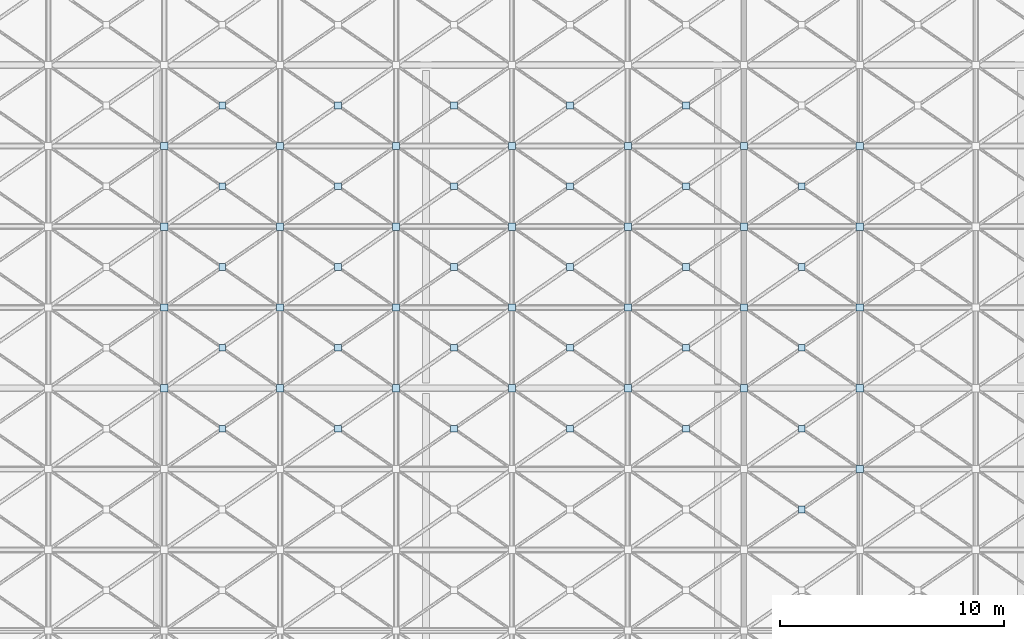
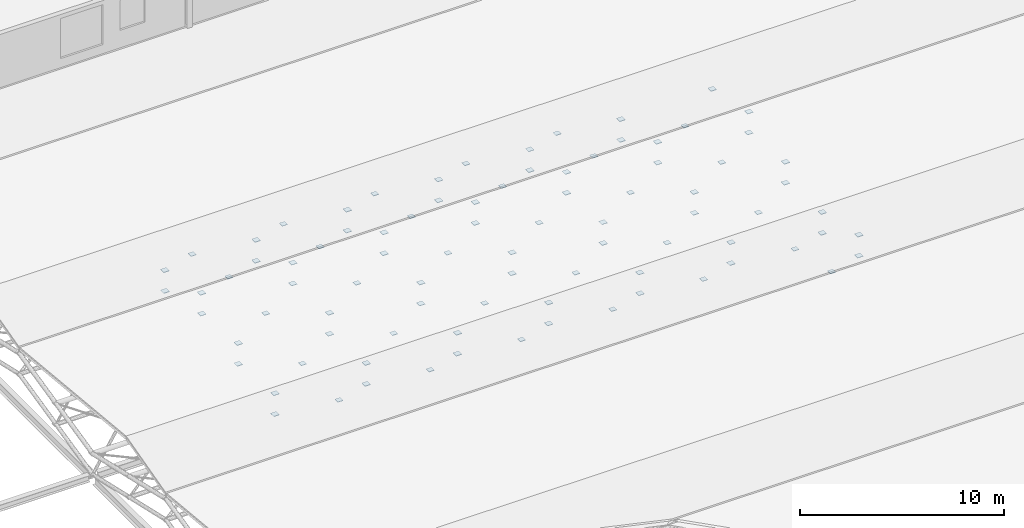
# One storey, part 95 of 110: 87 plates.
"""IFC4 building model written with IfcOpenShell, lengths in metres."""

from ifc_helpers import new_model, si_unit, direction, frame, origin, origin_2d, place, context, subcontext, project, spatial, rectangle, extrude, material, layer, layer_set, type_object, element, save


model = new_model("IFC4")

# Units and contexts
model_context = context("Model", 3, precision=1e-05, world=origin(), true_north=direction((0.0, 1.0)))
body_context = subcontext(model_context, "Body", "Model", "MODEL_VIEW")
ifc_project = project(units=[si_unit("LENGTHUNIT", "METRE"), si_unit("AREAUNIT", "SQUARE_METRE"), si_unit("VOLUMEUNIT", "CUBIC_METRE"), si_unit("PLANEANGLEUNIT", "RADIAN"), si_unit("MASSUNIT", "GRAM", prefix="KILO")], contexts=[model_context])

# Site, building, storey
site_placement = place(None, origin())
site = spatial("IfcSite", under=ifc_project, at=site_placement, CompositionType="ELEMENT")
building_placement = place(site_placement, origin())
building = spatial("IfcBuilding", under=site, at=building_placement, Name="Tamarisk Ironworks Central Station", CompositionType="ELEMENT")
storey_placement = place(building_placement, frame((0.0, 0.0, 17.39990234375)))
storey = spatial("IfcBuildingStorey", under=building, at=storey_placement, Name="L03", CompositionType="ELEMENT", Elevation=17.39990234375)

# Plates
ifc_material = material(Name="Structural steel S355J2H", Category="steel")
ifc_layer = layer(ifc_material, 0.02587890625)
ifc_layer_set = layer_set([ifc_layer], Name="Structural steel S355J2H")
plate_type = type_object("IfcPlateType", Name="PL-ND26", PredefinedType="SHEET", material=ifc_layer_set)
plate_1_placement = place(storey_placement, frame((128.333251953125, 50.39990234375, -0.48291015625), z_axis=(0.0, 0.0, 1.0), x_axis=(1.0, 0.0, 0.0)))
element("IfcPlate", 1, at=plate_1_placement, inside=storey, type_object=plate_type, Name="Space-frame collector node plate 0686", PredefinedType="SHEET", context=body_context, shape_type="SweptSolid", body=[
    extrude(rectangle(XDim=0.320068359375, YDim=0.320068359375, at=origin_2d()), origin(), (0.0, 0.0, 1.0), 0.02587890625),
])
plate_2_placement = place(storey_placement, frame((130.916748046875, 48.60009765625, -0.6953125), z_axis=(0.0, 0.0, 1.0), x_axis=(1.0, 0.0, 0.0)))
element("IfcPlate", 2, at=plate_2_placement, inside=storey, type_object=plate_type, Name="Space-frame X-brace crossing gusset plate 0696", PredefinedType="SHEET", context=body_context, shape_type="SweptSolid", body=[
    extrude(rectangle(XDim=0.300048828125, YDim=0.300048828125, at=origin_2d()), origin(), (0.0, 0.0, 1.0), 0.02587890625),
])
plate_3_placement = place(storey_placement, frame((133.5, 50.39990234375, -0.48291015625), z_axis=(0.0, 0.0, 1.0), x_axis=(1.0, 0.0, 0.0)))
element("IfcPlate", 3, at=plate_3_placement, inside=storey, type_object=plate_type, Name="Space-frame collector node plate 0698", PredefinedType="SHEET", context=body_context, shape_type="SweptSolid", body=[
    extrude(rectangle(XDim=0.320068359375, YDim=0.320068359375, at=origin_2d()), origin(), (0.0, 0.0, 1.0), 0.02587890625),
])
plate_4_placement = place(storey_placement, frame((136.083251953125, 48.60009765625, -0.6953125), z_axis=(0.0, 0.0, 1.0), x_axis=(1.0, 0.0, 0.0)))
element("IfcPlate", 4, at=plate_4_placement, inside=storey, type_object=plate_type, Name="Space-frame X-brace crossing gusset plate 0708", PredefinedType="SHEET", context=body_context, shape_type="SweptSolid", body=[
    extrude(rectangle(XDim=0.300048828125, YDim=0.300048828125, at=origin_2d()), origin(), (0.0, 0.0, 1.0), 0.02587890625),
])
plate_5_placement = place(storey_placement, frame((138.666748046875, 50.39990234375, -0.48291015625), z_axis=(0.0, 0.0, 1.0), x_axis=(1.0, 0.0, 0.0)))
element("IfcPlate", 5, at=plate_5_placement, inside=storey, type_object=plate_type, Name="Space-frame collector node plate 0710", PredefinedType="SHEET", context=body_context, shape_type="SweptSolid", body=[
    extrude(rectangle(XDim=0.320068359375, YDim=0.320068359375, at=origin_2d()), origin(), (0.0, 0.0, 1.0), 0.02587890625),
])
plate_6_placement = place(storey_placement, frame((141.25, 48.60009765625, -0.6953125), z_axis=(0.0, 0.0, 1.0), x_axis=(1.0, 0.0, 0.0)))
element("IfcPlate", 6, at=plate_6_placement, inside=storey, type_object=plate_type, Name="Space-frame X-brace crossing gusset plate 0720", PredefinedType="SHEET", context=body_context, shape_type="SweptSolid", body=[
    extrude(rectangle(XDim=0.300048828125, YDim=0.300048828125, at=origin_2d()), origin(), (0.0, 0.0, 1.0), 0.02587890625),
])
plate_7_placement = place(storey_placement, frame((143.833251953125, 50.39990234375, -0.48291015625), z_axis=(0.0, 0.0, 1.0), x_axis=(1.0, 0.0, 0.0)))
element("IfcPlate", 7, at=plate_7_placement, inside=storey, type_object=plate_type, Name="Space-frame collector node plate 0722", PredefinedType="SHEET", context=body_context, shape_type="SweptSolid", body=[
    extrude(rectangle(XDim=0.320068359375, YDim=0.320068359375, at=origin_2d()), origin(), (0.0, 0.0, 1.0), 0.02587890625),
])
plate_8_placement = place(storey_placement, frame((146.416748046875, 48.60009765625, -0.6953125), z_axis=(0.0, 0.0, 1.0), x_axis=(1.0, 0.0, 0.0)))
element("IfcPlate", 8, at=plate_8_placement, inside=storey, type_object=plate_type, Name="Space-frame X-brace crossing gusset plate 0732", PredefinedType="SHEET", context=body_context, shape_type="SweptSolid", body=[
    extrude(rectangle(XDim=0.300048828125, YDim=0.300048828125, at=origin_2d()), origin(), (0.0, 0.0, 1.0), 0.02587890625),
])
plate_9_placement = place(storey_placement, frame((149.0, 50.39990234375, -0.48291015625), z_axis=(0.0, 0.0, 1.0), x_axis=(1.0, 0.0, 0.0)))
element("IfcPlate", 9, at=plate_9_placement, inside=storey, type_object=plate_type, Name="Space-frame collector node plate 0734", PredefinedType="SHEET", context=body_context, shape_type="SweptSolid", body=[
    extrude(rectangle(XDim=0.320068359375, YDim=0.320068359375, at=origin_2d()), origin(), (0.0, 0.0, 1.0), 0.02587890625),
])
plate_10_placement = place(storey_placement, frame((151.583251953125, 48.60009765625, -0.6953125), z_axis=(0.0, 0.0, 1.0), x_axis=(1.0, 0.0, 0.0)))
element("IfcPlate", 10, at=plate_10_placement, inside=storey, type_object=plate_type, Name="Space-frame X-brace crossing gusset plate 0744", PredefinedType="SHEET", context=body_context, shape_type="SweptSolid", body=[
    extrude(rectangle(XDim=0.300048828125, YDim=0.300048828125, at=origin_2d()), origin(), (0.0, 0.0, 1.0), 0.02587890625),
])
plate_11_placement = place(storey_placement, frame((154.166748046875, 50.39990234375, -0.48291015625), z_axis=(0.0, 0.0, 1.0), x_axis=(1.0, 0.0, 0.0)))
element("IfcPlate", 11, at=plate_11_placement, inside=storey, type_object=plate_type, Name="Space-frame collector node plate 0746", PredefinedType="SHEET", context=body_context, shape_type="SweptSolid", body=[
    extrude(rectangle(XDim=0.320068359375, YDim=0.320068359375, at=origin_2d()), origin(), (0.0, 0.0, 1.0), 0.02587890625),
])
plate_12_placement = place(storey_placement, frame((156.75, 45.0, 0.129638671875), z_axis=(0.0, 0.0, 1.0), x_axis=(1.0, 0.0, 0.0)))
element("IfcPlate", 12, at=plate_12_placement, inside=storey, type_object=plate_type, Name="Space-frame X-brace crossing gusset plate 0753", PredefinedType="SHEET", context=body_context, shape_type="SweptSolid", body=[
    extrude(rectangle(XDim=0.300048828125, YDim=0.300048828125, at=origin_2d()), origin(), (0.0, 0.0, 1.0), 0.02587890625),
])
plate_13_placement = place(storey_placement, frame((159.333251953125, 46.800048828125, 0.342041015625), z_axis=(0.0, 0.0, 1.0), x_axis=(1.0, 0.0, 0.0)))
element("IfcPlate", 13, at=plate_13_placement, inside=storey, type_object=plate_type, Name="Space-frame collector node plate 0755", PredefinedType="SHEET", context=body_context, shape_type="SweptSolid", body=[
    extrude(rectangle(XDim=0.320068359375, YDim=0.320068359375, at=origin_2d()), origin(), (0.0, 0.0, 1.0), 0.02587890625),
])
plate_14_placement = place(storey_placement, frame((156.75, 48.60009765625, -0.6953125), z_axis=(0.0, 0.0, 1.0), x_axis=(1.0, 0.0, 0.0)))
element("IfcPlate", 14, at=plate_14_placement, inside=storey, type_object=plate_type, Name="Space-frame X-brace crossing gusset plate 0756", PredefinedType="SHEET", context=body_context, shape_type="SweptSolid", body=[
    extrude(rectangle(XDim=0.300048828125, YDim=0.300048828125, at=origin_2d()), origin(), (0.0, 0.0, 1.0), 0.02587890625),
])
for number, where, z_axis, x_axis, name in (
    (15, (159.333251953125, 46.800048828125, -0.907958984375), (0.0, 0.0, 1.0), (1.0, 0.0, 0.0), "Space-frame collector node plate 0757"),
    (16, (159.333251953125, 50.39990234375, -0.48291015625), (0.0, 0.0, 1.0), (1.0, 0.0, 0.0), "Space-frame collector node plate 0758"),
    (17, (128.333251953125, 50.39990234375, -1.73291015625), (0.0, 0.0, 1.0), (1.0, 0.0, 0.0), "Space-frame collector node plate 0828"),
    (18, (128.333251953125, 54.0, 0.342041015625), (0.0, 0.0, 1.0), (1.0, 0.0, 0.0), "Space-frame collector node plate 0829"),
    (19, (128.333251953125, 54.0, -0.907958984375), (0.0, 0.0, 1.0), (1.0, 0.0, 0.0), "Space-frame collector node plate 0831"),
    (20, (128.333251953125, 57.60009765625, 1.167236328125), (0.0, 0.0, 1.0), (1.0, 0.0, 0.0), "Space-frame collector node plate 0832"),
    (21, (128.333251953125, 57.60009765625, -0.082763671875), (0.0, 0.0, 1.0), (1.0, 0.0, 0.0), "Space-frame collector node plate 0834"),
    (22, (128.333251953125, 61.199951171875, 0.342041015625), (0.0, 0.0, 1.0), (1.0, 0.0, 0.0), "Space-frame collector node plate 0835"),
    (23, (128.333251953125, 61.199951171875, -0.907958984375), (0.0, 0.0, 1.0), (1.0, 0.0, 0.0), "Space-frame collector node plate 0837"),
):
    element("IfcPlate", number, at=place(storey_placement, frame(where, z_axis=z_axis, x_axis=x_axis)), inside=storey, type_object=plate_type, Name=name, PredefinedType="SHEET", context=body_context, shape_type="SweptSolid", body=[
        extrude(rectangle(XDim=0.320068359375, YDim=0.320068359375, at=origin_2d()), origin(), (0.0, 0.0, 1.0), 0.02587890625),
    ])
plate_15_placement = place(storey_placement, frame((130.916748046875, 52.199951171875, -0.6953125), z_axis=(0.0, 0.0, 1.0), x_axis=(1.0, 0.0, 0.0)))
element("IfcPlate", 24, at=plate_15_placement, inside=storey, type_object=plate_type, Name="Space-frame X-brace crossing gusset plate 0839", PredefinedType="SHEET", context=body_context, shape_type="SweptSolid", body=[
    extrude(rectangle(XDim=0.300048828125, YDim=0.300048828125, at=origin_2d()), origin(), (0.0, 0.0, 1.0), 0.02587890625),
])
for number, where, z_axis, x_axis, name in (
    (25, (133.5, 50.39990234375, -1.73291015625), (0.0, 0.0, 1.0), (1.0, 0.0, 0.0), "Space-frame collector node plate 0840"),
    (26, (133.5, 54.0, 0.342041015625), (0.0, 0.0, 1.0), (1.0, 0.0, 0.0), "Space-frame collector node plate 0841"),
):
    element("IfcPlate", number, at=place(storey_placement, frame(where, z_axis=z_axis, x_axis=x_axis)), inside=storey, type_object=plate_type, Name=name, PredefinedType="SHEET", context=body_context, shape_type="SweptSolid", body=[
        extrude(rectangle(XDim=0.320068359375, YDim=0.320068359375, at=origin_2d()), origin(), (0.0, 0.0, 1.0), 0.02587890625),
    ])
plate_16_placement = place(storey_placement, frame((130.916748046875, 55.800048828125, 0.129638671875), z_axis=(0.0, 0.0, 1.0), x_axis=(1.0, 0.0, 0.0)))
element("IfcPlate", 27, at=plate_16_placement, inside=storey, type_object=plate_type, Name="Space-frame X-brace crossing gusset plate 0842", PredefinedType="SHEET", context=body_context, shape_type="SweptSolid", body=[
    extrude(rectangle(XDim=0.300048828125, YDim=0.300048828125, at=origin_2d()), origin(), (0.0, 0.0, 1.0), 0.02587890625),
])
for number, where, z_axis, x_axis, name in (
    (28, (133.5, 54.0, -0.907958984375), (0.0, 0.0, 1.0), (1.0, 0.0, 0.0), "Space-frame collector node plate 0843"),
    (29, (133.5, 57.60009765625, 1.167236328125), (0.0, 0.0, 1.0), (1.0, 0.0, 0.0), "Space-frame collector node plate 0844"),
):
    element("IfcPlate", number, at=place(storey_placement, frame(where, z_axis=z_axis, x_axis=x_axis)), inside=storey, type_object=plate_type, Name=name, PredefinedType="SHEET", context=body_context, shape_type="SweptSolid", body=[
        extrude(rectangle(XDim=0.320068359375, YDim=0.320068359375, at=origin_2d()), origin(), (0.0, 0.0, 1.0), 0.02587890625),
    ])
plate_17_placement = place(storey_placement, frame((130.916748046875, 59.39990234375, 0.129638671875), z_axis=(0.0, 0.0, 1.0), x_axis=(1.0, 0.0, 0.0)))
element("IfcPlate", 30, at=plate_17_placement, inside=storey, type_object=plate_type, Name="Space-frame X-brace crossing gusset plate 0845", PredefinedType="SHEET", context=body_context, shape_type="SweptSolid", body=[
    extrude(rectangle(XDim=0.300048828125, YDim=0.300048828125, at=origin_2d()), origin(), (0.0, 0.0, 1.0), 0.02587890625),
])
for number, where, z_axis, x_axis, name in (
    (31, (133.5, 57.60009765625, -0.082763671875), (0.0, 0.0, 1.0), (1.0, 0.0, 0.0), "Space-frame collector node plate 0846"),
    (32, (133.5, 61.199951171875, 0.342041015625), (0.0, 0.0, 1.0), (1.0, 0.0, 0.0), "Space-frame collector node plate 0847"),
):
    element("IfcPlate", number, at=place(storey_placement, frame(where, z_axis=z_axis, x_axis=x_axis)), inside=storey, type_object=plate_type, Name=name, PredefinedType="SHEET", context=body_context, shape_type="SweptSolid", body=[
        extrude(rectangle(XDim=0.320068359375, YDim=0.320068359375, at=origin_2d()), origin(), (0.0, 0.0, 1.0), 0.02587890625),
    ])
plate_18_placement = place(storey_placement, frame((130.916748046875, 63.0, -0.6953125), z_axis=(0.0, 0.0, 1.0), x_axis=(1.0, 0.0, 0.0)))
element("IfcPlate", 33, at=plate_18_placement, inside=storey, type_object=plate_type, Name="Space-frame X-brace crossing gusset plate 0848", PredefinedType="SHEET", context=body_context, shape_type="SweptSolid", body=[
    extrude(rectangle(XDim=0.300048828125, YDim=0.300048828125, at=origin_2d()), origin(), (0.0, 0.0, 1.0), 0.02587890625),
])
plate_19_placement = place(storey_placement, frame((133.5, 61.199951171875, -0.907958984375), z_axis=(0.0, 0.0, 1.0), x_axis=(1.0, 0.0, 0.0)))
element("IfcPlate", 34, at=plate_19_placement, inside=storey, type_object=plate_type, Name="Space-frame collector node plate 0849", PredefinedType="SHEET", context=body_context, shape_type="SweptSolid", body=[
    extrude(rectangle(XDim=0.320068359375, YDim=0.320068359375, at=origin_2d()), origin(), (0.0, 0.0, 1.0), 0.02587890625),
])
plate_20_placement = place(storey_placement, frame((136.083251953125, 52.199951171875, -0.6953125), z_axis=(0.0, 0.0, 1.0), x_axis=(1.0, 0.0, 0.0)))
element("IfcPlate", 35, at=plate_20_placement, inside=storey, type_object=plate_type, Name="Space-frame X-brace crossing gusset plate 0851", PredefinedType="SHEET", context=body_context, shape_type="SweptSolid", body=[
    extrude(rectangle(XDim=0.300048828125, YDim=0.300048828125, at=origin_2d()), origin(), (0.0, 0.0, 1.0), 0.02587890625),
])
for number, where, z_axis, x_axis, name in (
    (36, (138.666748046875, 50.39990234375, -1.73291015625), (0.0, 0.0, 1.0), (1.0, 0.0, 0.0), "Space-frame collector node plate 0852"),
    (37, (138.666748046875, 54.0, 0.342041015625), (0.0, 0.0, 1.0), (1.0, 0.0, 0.0), "Space-frame collector node plate 0853"),
):
    element("IfcPlate", number, at=place(storey_placement, frame(where, z_axis=z_axis, x_axis=x_axis)), inside=storey, type_object=plate_type, Name=name, PredefinedType="SHEET", context=body_context, shape_type="SweptSolid", body=[
        extrude(rectangle(XDim=0.320068359375, YDim=0.320068359375, at=origin_2d()), origin(), (0.0, 0.0, 1.0), 0.02587890625),
    ])
plate_21_placement = place(storey_placement, frame((136.083251953125, 55.800048828125, 0.129638671875), z_axis=(0.0, 0.0, 1.0), x_axis=(1.0, 0.0, 0.0)))
element("IfcPlate", 38, at=plate_21_placement, inside=storey, type_object=plate_type, Name="Space-frame X-brace crossing gusset plate 0854", PredefinedType="SHEET", context=body_context, shape_type="SweptSolid", body=[
    extrude(rectangle(XDim=0.300048828125, YDim=0.300048828125, at=origin_2d()), origin(), (0.0, 0.0, 1.0), 0.02587890625),
])
for number, where, z_axis, x_axis, name in (
    (39, (138.666748046875, 54.0, -0.907958984375), (0.0, 0.0, 1.0), (1.0, 0.0, 0.0), "Space-frame collector node plate 0855"),
    (40, (138.666748046875, 57.60009765625, 1.167236328125), (0.0, 0.0, 1.0), (1.0, 0.0, 0.0), "Space-frame collector node plate 0856"),
):
    element("IfcPlate", number, at=place(storey_placement, frame(where, z_axis=z_axis, x_axis=x_axis)), inside=storey, type_object=plate_type, Name=name, PredefinedType="SHEET", context=body_context, shape_type="SweptSolid", body=[
        extrude(rectangle(XDim=0.320068359375, YDim=0.320068359375, at=origin_2d()), origin(), (0.0, 0.0, 1.0), 0.02587890625),
    ])
plate_22_placement = place(storey_placement, frame((136.083251953125, 59.39990234375, 0.129638671875), z_axis=(0.0, 0.0, 1.0), x_axis=(1.0, 0.0, 0.0)))
element("IfcPlate", 41, at=plate_22_placement, inside=storey, type_object=plate_type, Name="Space-frame X-brace crossing gusset plate 0857", PredefinedType="SHEET", context=body_context, shape_type="SweptSolid", body=[
    extrude(rectangle(XDim=0.300048828125, YDim=0.300048828125, at=origin_2d()), origin(), (0.0, 0.0, 1.0), 0.02587890625),
])
for number, where, z_axis, x_axis, name in (
    (42, (138.666748046875, 57.60009765625, -0.082763671875), (0.0, 0.0, 1.0), (1.0, 0.0, 0.0), "Space-frame collector node plate 0858"),
    (43, (138.666748046875, 61.199951171875, 0.342041015625), (0.0, 0.0, 1.0), (1.0, 0.0, 0.0), "Space-frame collector node plate 0859"),
):
    element("IfcPlate", number, at=place(storey_placement, frame(where, z_axis=z_axis, x_axis=x_axis)), inside=storey, type_object=plate_type, Name=name, PredefinedType="SHEET", context=body_context, shape_type="SweptSolid", body=[
        extrude(rectangle(XDim=0.320068359375, YDim=0.320068359375, at=origin_2d()), origin(), (0.0, 0.0, 1.0), 0.02587890625),
    ])
plate_23_placement = place(storey_placement, frame((136.083251953125, 63.0, -0.6953125), z_axis=(0.0, 0.0, 1.0), x_axis=(1.0, 0.0, 0.0)))
element("IfcPlate", 44, at=plate_23_placement, inside=storey, type_object=plate_type, Name="Space-frame X-brace crossing gusset plate 0860", PredefinedType="SHEET", context=body_context, shape_type="SweptSolid", body=[
    extrude(rectangle(XDim=0.300048828125, YDim=0.300048828125, at=origin_2d()), origin(), (0.0, 0.0, 1.0), 0.02587890625),
])
plate_24_placement = place(storey_placement, frame((138.666748046875, 61.199951171875, -0.907958984375), z_axis=(0.0, 0.0, 1.0), x_axis=(1.0, 0.0, 0.0)))
element("IfcPlate", 45, at=plate_24_placement, inside=storey, type_object=plate_type, Name="Space-frame collector node plate 0861", PredefinedType="SHEET", context=body_context, shape_type="SweptSolid", body=[
    extrude(rectangle(XDim=0.320068359375, YDim=0.320068359375, at=origin_2d()), origin(), (0.0, 0.0, 1.0), 0.02587890625),
])
plate_25_placement = place(storey_placement, frame((141.25, 52.199951171875, -0.6953125), z_axis=(0.0, 0.0, 1.0), x_axis=(1.0, 0.0, 0.0)))
element("IfcPlate", 46, at=plate_25_placement, inside=storey, type_object=plate_type, Name="Space-frame X-brace crossing gusset plate 0863", PredefinedType="SHEET", context=body_context, shape_type="SweptSolid", body=[
    extrude(rectangle(XDim=0.300048828125, YDim=0.300048828125, at=origin_2d()), origin(), (0.0, 0.0, 1.0), 0.02587890625),
])
for number, where, z_axis, x_axis, name in (
    (47, (143.833251953125, 50.39990234375, -1.73291015625), (0.0, 0.0, 1.0), (1.0, 0.0, 0.0), "Space-frame collector node plate 0864"),
    (48, (143.833251953125, 54.0, 0.342041015625), (0.0, 0.0, 1.0), (1.0, 0.0, 0.0), "Space-frame collector node plate 0865"),
):
    element("IfcPlate", number, at=place(storey_placement, frame(where, z_axis=z_axis, x_axis=x_axis)), inside=storey, type_object=plate_type, Name=name, PredefinedType="SHEET", context=body_context, shape_type="SweptSolid", body=[
        extrude(rectangle(XDim=0.320068359375, YDim=0.320068359375, at=origin_2d()), origin(), (0.0, 0.0, 1.0), 0.02587890625),
    ])
plate_26_placement = place(storey_placement, frame((141.25, 55.800048828125, 0.129638671875), z_axis=(0.0, 0.0, 1.0), x_axis=(1.0, 0.0, 0.0)))
element("IfcPlate", 49, at=plate_26_placement, inside=storey, type_object=plate_type, Name="Space-frame X-brace crossing gusset plate 0866", PredefinedType="SHEET", context=body_context, shape_type="SweptSolid", body=[
    extrude(rectangle(XDim=0.300048828125, YDim=0.300048828125, at=origin_2d()), origin(), (0.0, 0.0, 1.0), 0.02587890625),
])
for number, where, z_axis, x_axis, name in (
    (50, (143.833251953125, 54.0, -0.907958984375), (0.0, 0.0, 1.0), (1.0, 0.0, 0.0), "Space-frame collector node plate 0867"),
    (51, (143.833251953125, 57.60009765625, 1.167236328125), (0.0, 0.0, 1.0), (1.0, 0.0, 0.0), "Space-frame collector node plate 0868"),
):
    element("IfcPlate", number, at=place(storey_placement, frame(where, z_axis=z_axis, x_axis=x_axis)), inside=storey, type_object=plate_type, Name=name, PredefinedType="SHEET", context=body_context, shape_type="SweptSolid", body=[
        extrude(rectangle(XDim=0.320068359375, YDim=0.320068359375, at=origin_2d()), origin(), (0.0, 0.0, 1.0), 0.02587890625),
    ])
plate_27_placement = place(storey_placement, frame((141.25, 59.39990234375, 0.129638671875), z_axis=(0.0, 0.0, 1.0), x_axis=(1.0, 0.0, 0.0)))
element("IfcPlate", 52, at=plate_27_placement, inside=storey, type_object=plate_type, Name="Space-frame X-brace crossing gusset plate 0869", PredefinedType="SHEET", context=body_context, shape_type="SweptSolid", body=[
    extrude(rectangle(XDim=0.300048828125, YDim=0.300048828125, at=origin_2d()), origin(), (0.0, 0.0, 1.0), 0.02587890625),
])
for number, where, z_axis, x_axis, name in (
    (53, (143.833251953125, 57.60009765625, -0.082763671875), (0.0, 0.0, 1.0), (1.0, 0.0, 0.0), "Space-frame collector node plate 0870"),
    (54, (143.833251953125, 61.199951171875, 0.342041015625), (0.0, 0.0, 1.0), (1.0, 0.0, 0.0), "Space-frame collector node plate 0871"),
):
    element("IfcPlate", number, at=place(storey_placement, frame(where, z_axis=z_axis, x_axis=x_axis)), inside=storey, type_object=plate_type, Name=name, PredefinedType="SHEET", context=body_context, shape_type="SweptSolid", body=[
        extrude(rectangle(XDim=0.320068359375, YDim=0.320068359375, at=origin_2d()), origin(), (0.0, 0.0, 1.0), 0.02587890625),
    ])
plate_28_placement = place(storey_placement, frame((141.25, 63.0, -0.6953125), z_axis=(0.0, 0.0, 1.0), x_axis=(1.0, 0.0, 0.0)))
element("IfcPlate", 55, at=plate_28_placement, inside=storey, type_object=plate_type, Name="Space-frame X-brace crossing gusset plate 0872", PredefinedType="SHEET", context=body_context, shape_type="SweptSolid", body=[
    extrude(rectangle(XDim=0.300048828125, YDim=0.300048828125, at=origin_2d()), origin(), (0.0, 0.0, 1.0), 0.02587890625),
])
plate_29_placement = place(storey_placement, frame((143.833251953125, 61.199951171875, -0.907958984375), z_axis=(0.0, 0.0, 1.0), x_axis=(1.0, 0.0, 0.0)))
element("IfcPlate", 56, at=plate_29_placement, inside=storey, type_object=plate_type, Name="Space-frame collector node plate 0873", PredefinedType="SHEET", context=body_context, shape_type="SweptSolid", body=[
    extrude(rectangle(XDim=0.320068359375, YDim=0.320068359375, at=origin_2d()), origin(), (0.0, 0.0, 1.0), 0.02587890625),
])
plate_30_placement = place(storey_placement, frame((146.416748046875, 52.199951171875, -0.6953125), z_axis=(0.0, 0.0, 1.0), x_axis=(1.0, 0.0, 0.0)))
element("IfcPlate", 57, at=plate_30_placement, inside=storey, type_object=plate_type, Name="Space-frame X-brace crossing gusset plate 0875", PredefinedType="SHEET", context=body_context, shape_type="SweptSolid", body=[
    extrude(rectangle(XDim=0.300048828125, YDim=0.300048828125, at=origin_2d()), origin(), (0.0, 0.0, 1.0), 0.02587890625),
])
for number, where, z_axis, x_axis, name in (
    (58, (149.0, 50.39990234375, -1.73291015625), (0.0, 0.0, 1.0), (1.0, 0.0, 0.0), "Space-frame collector node plate 0876"),
    (59, (149.0, 54.0, 0.342041015625), (0.0, 0.0, 1.0), (1.0, 0.0, 0.0), "Space-frame collector node plate 0877"),
):
    element("IfcPlate", number, at=place(storey_placement, frame(where, z_axis=z_axis, x_axis=x_axis)), inside=storey, type_object=plate_type, Name=name, PredefinedType="SHEET", context=body_context, shape_type="SweptSolid", body=[
        extrude(rectangle(XDim=0.320068359375, YDim=0.320068359375, at=origin_2d()), origin(), (0.0, 0.0, 1.0), 0.02587890625),
    ])
plate_31_placement = place(storey_placement, frame((146.416748046875, 55.800048828125, 0.129638671875), z_axis=(0.0, 0.0, 1.0), x_axis=(1.0, 0.0, 0.0)))
element("IfcPlate", 60, at=plate_31_placement, inside=storey, type_object=plate_type, Name="Space-frame X-brace crossing gusset plate 0878", PredefinedType="SHEET", context=body_context, shape_type="SweptSolid", body=[
    extrude(rectangle(XDim=0.300048828125, YDim=0.300048828125, at=origin_2d()), origin(), (0.0, 0.0, 1.0), 0.02587890625),
])
for number, where, z_axis, x_axis, name in (
    (61, (149.0, 54.0, -0.907958984375), (0.0, 0.0, 1.0), (1.0, 0.0, 0.0), "Space-frame collector node plate 0879"),
    (62, (149.0, 57.60009765625, 1.167236328125), (0.0, 0.0, 1.0), (1.0, 0.0, 0.0), "Space-frame collector node plate 0880"),
):
    element("IfcPlate", number, at=place(storey_placement, frame(where, z_axis=z_axis, x_axis=x_axis)), inside=storey, type_object=plate_type, Name=name, PredefinedType="SHEET", context=body_context, shape_type="SweptSolid", body=[
        extrude(rectangle(XDim=0.320068359375, YDim=0.320068359375, at=origin_2d()), origin(), (0.0, 0.0, 1.0), 0.02587890625),
    ])
plate_32_placement = place(storey_placement, frame((146.416748046875, 59.39990234375, 0.129638671875), z_axis=(0.0, 0.0, 1.0), x_axis=(1.0, 0.0, 0.0)))
element("IfcPlate", 63, at=plate_32_placement, inside=storey, type_object=plate_type, Name="Space-frame X-brace crossing gusset plate 0881", PredefinedType="SHEET", context=body_context, shape_type="SweptSolid", body=[
    extrude(rectangle(XDim=0.300048828125, YDim=0.300048828125, at=origin_2d()), origin(), (0.0, 0.0, 1.0), 0.02587890625),
])
for number, where, z_axis, x_axis, name in (
    (64, (149.0, 57.60009765625, -0.082763671875), (0.0, 0.0, 1.0), (1.0, 0.0, 0.0), "Space-frame collector node plate 0882"),
    (65, (149.0, 61.199951171875, 0.342041015625), (0.0, 0.0, 1.0), (1.0, 0.0, 0.0), "Space-frame collector node plate 0883"),
):
    element("IfcPlate", number, at=place(storey_placement, frame(where, z_axis=z_axis, x_axis=x_axis)), inside=storey, type_object=plate_type, Name=name, PredefinedType="SHEET", context=body_context, shape_type="SweptSolid", body=[
        extrude(rectangle(XDim=0.320068359375, YDim=0.320068359375, at=origin_2d()), origin(), (0.0, 0.0, 1.0), 0.02587890625),
    ])
plate_33_placement = place(storey_placement, frame((146.416748046875, 63.0, -0.6953125), z_axis=(0.0, 0.0, 1.0), x_axis=(1.0, 0.0, 0.0)))
element("IfcPlate", 66, at=plate_33_placement, inside=storey, type_object=plate_type, Name="Space-frame X-brace crossing gusset plate 0884", PredefinedType="SHEET", context=body_context, shape_type="SweptSolid", body=[
    extrude(rectangle(XDim=0.300048828125, YDim=0.300048828125, at=origin_2d()), origin(), (0.0, 0.0, 1.0), 0.02587890625),
])
plate_34_placement = place(storey_placement, frame((149.0, 61.199951171875, -0.907958984375), z_axis=(0.0, 0.0, 1.0), x_axis=(1.0, 0.0, 0.0)))
element("IfcPlate", 67, at=plate_34_placement, inside=storey, type_object=plate_type, Name="Space-frame collector node plate 0885", PredefinedType="SHEET", context=body_context, shape_type="SweptSolid", body=[
    extrude(rectangle(XDim=0.320068359375, YDim=0.320068359375, at=origin_2d()), origin(), (0.0, 0.0, 1.0), 0.02587890625),
])
plate_35_placement = place(storey_placement, frame((151.583251953125, 52.199951171875, -0.6953125), z_axis=(0.0, 0.0, 1.0), x_axis=(1.0, 0.0, 0.0)))
element("IfcPlate", 68, at=plate_35_placement, inside=storey, type_object=plate_type, Name="Space-frame X-brace crossing gusset plate 0887", PredefinedType="SHEET", context=body_context, shape_type="SweptSolid", body=[
    extrude(rectangle(XDim=0.300048828125, YDim=0.300048828125, at=origin_2d()), origin(), (0.0, 0.0, 1.0), 0.02587890625),
])
for number, where, z_axis, x_axis, name in (
    (69, (154.166748046875, 50.39990234375, -1.73291015625), (0.0, 0.0, 1.0), (1.0, 0.0, 0.0), "Space-frame collector node plate 0888"),
    (70, (154.166748046875, 54.0, 0.342041015625), (0.0, 0.0, 1.0), (1.0, 0.0, 0.0), "Space-frame collector node plate 0889"),
):
    element("IfcPlate", number, at=place(storey_placement, frame(where, z_axis=z_axis, x_axis=x_axis)), inside=storey, type_object=plate_type, Name=name, PredefinedType="SHEET", context=body_context, shape_type="SweptSolid", body=[
        extrude(rectangle(XDim=0.320068359375, YDim=0.320068359375, at=origin_2d()), origin(), (0.0, 0.0, 1.0), 0.02587890625),
    ])
plate_36_placement = place(storey_placement, frame((151.583251953125, 55.800048828125, 0.129638671875), z_axis=(0.0, 0.0, 1.0), x_axis=(1.0, 0.0, 0.0)))
element("IfcPlate", 71, at=plate_36_placement, inside=storey, type_object=plate_type, Name="Space-frame X-brace crossing gusset plate 0890", PredefinedType="SHEET", context=body_context, shape_type="SweptSolid", body=[
    extrude(rectangle(XDim=0.300048828125, YDim=0.300048828125, at=origin_2d()), origin(), (0.0, 0.0, 1.0), 0.02587890625),
])
for number, where, z_axis, x_axis, name in (
    (72, (154.166748046875, 54.0, -0.907958984375), (0.0, 0.0, 1.0), (1.0, 0.0, 0.0), "Space-frame collector node plate 0891"),
    (73, (154.166748046875, 57.60009765625, 1.167236328125), (0.0, 0.0, 1.0), (1.0, 0.0, 0.0), "Space-frame collector node plate 0892"),
):
    element("IfcPlate", number, at=place(storey_placement, frame(where, z_axis=z_axis, x_axis=x_axis)), inside=storey, type_object=plate_type, Name=name, PredefinedType="SHEET", context=body_context, shape_type="SweptSolid", body=[
        extrude(rectangle(XDim=0.320068359375, YDim=0.320068359375, at=origin_2d()), origin(), (0.0, 0.0, 1.0), 0.02587890625),
    ])
plate_37_placement = place(storey_placement, frame((151.583251953125, 59.39990234375, 0.129638671875), z_axis=(0.0, 0.0, 1.0), x_axis=(1.0, 0.0, 0.0)))
element("IfcPlate", 74, at=plate_37_placement, inside=storey, type_object=plate_type, Name="Space-frame X-brace crossing gusset plate 0893", PredefinedType="SHEET", context=body_context, shape_type="SweptSolid", body=[
    extrude(rectangle(XDim=0.300048828125, YDim=0.300048828125, at=origin_2d()), origin(), (0.0, 0.0, 1.0), 0.02587890625),
])
for number, where, z_axis, x_axis, name in (
    (75, (154.166748046875, 57.60009765625, -0.082763671875), (0.0, 0.0, 1.0), (1.0, 0.0, 0.0), "Space-frame collector node plate 0894"),
    (76, (154.166748046875, 61.199951171875, 0.342041015625), (0.0, 0.0, 1.0), (1.0, 0.0, 0.0), "Space-frame collector node plate 0895"),
):
    element("IfcPlate", number, at=place(storey_placement, frame(where, z_axis=z_axis, x_axis=x_axis)), inside=storey, type_object=plate_type, Name=name, PredefinedType="SHEET", context=body_context, shape_type="SweptSolid", body=[
        extrude(rectangle(XDim=0.320068359375, YDim=0.320068359375, at=origin_2d()), origin(), (0.0, 0.0, 1.0), 0.02587890625),
    ])
plate_38_placement = place(storey_placement, frame((151.583251953125, 63.0, -0.6953125), z_axis=(0.0, 0.0, 1.0), x_axis=(1.0, 0.0, 0.0)))
element("IfcPlate", 77, at=plate_38_placement, inside=storey, type_object=plate_type, Name="Space-frame X-brace crossing gusset plate 0896", PredefinedType="SHEET", context=body_context, shape_type="SweptSolid", body=[
    extrude(rectangle(XDim=0.300048828125, YDim=0.300048828125, at=origin_2d()), origin(), (0.0, 0.0, 1.0), 0.02587890625),
])
plate_39_placement = place(storey_placement, frame((154.166748046875, 61.199951171875, -0.907958984375), z_axis=(0.0, 0.0, 1.0), x_axis=(1.0, 0.0, 0.0)))
element("IfcPlate", 78, at=plate_39_placement, inside=storey, type_object=plate_type, Name="Space-frame collector node plate 0897", PredefinedType="SHEET", context=body_context, shape_type="SweptSolid", body=[
    extrude(rectangle(XDim=0.320068359375, YDim=0.320068359375, at=origin_2d()), origin(), (0.0, 0.0, 1.0), 0.02587890625),
])
plate_40_placement = place(storey_placement, frame((156.75, 52.199951171875, -0.6953125), z_axis=(0.0, 0.0, 1.0), x_axis=(1.0, 0.0, 0.0)))
element("IfcPlate", 79, at=plate_40_placement, inside=storey, type_object=plate_type, Name="Space-frame X-brace crossing gusset plate 0899", PredefinedType="SHEET", context=body_context, shape_type="SweptSolid", body=[
    extrude(rectangle(XDim=0.300048828125, YDim=0.300048828125, at=origin_2d()), origin(), (0.0, 0.0, 1.0), 0.02587890625),
])
for number, where, z_axis, x_axis, name in (
    (80, (159.333251953125, 50.39990234375, -1.73291015625), (0.0, 0.0, 1.0), (1.0, 0.0, 0.0), "Space-frame collector node plate 0900"),
    (81, (159.333251953125, 54.0, 0.342041015625), (0.0, 0.0, 1.0), (1.0, 0.0, 0.0), "Space-frame collector node plate 0901"),
):
    element("IfcPlate", number, at=place(storey_placement, frame(where, z_axis=z_axis, x_axis=x_axis)), inside=storey, type_object=plate_type, Name=name, PredefinedType="SHEET", context=body_context, shape_type="SweptSolid", body=[
        extrude(rectangle(XDim=0.320068359375, YDim=0.320068359375, at=origin_2d()), origin(), (0.0, 0.0, 1.0), 0.02587890625),
    ])
plate_41_placement = place(storey_placement, frame((156.75, 55.800048828125, 0.129638671875), z_axis=(0.0, 0.0, 1.0), x_axis=(1.0, 0.0, 0.0)))
element("IfcPlate", 82, at=plate_41_placement, inside=storey, type_object=plate_type, Name="Space-frame X-brace crossing gusset plate 0902", PredefinedType="SHEET", context=body_context, shape_type="SweptSolid", body=[
    extrude(rectangle(XDim=0.300048828125, YDim=0.300048828125, at=origin_2d()), origin(), (0.0, 0.0, 1.0), 0.02587890625),
])
for number, where, z_axis, x_axis, name in (
    (83, (159.333251953125, 54.0, -0.907958984375), (0.0, 0.0, 1.0), (1.0, 0.0, 0.0), "Space-frame collector node plate 0903"),
    (84, (159.333251953125, 57.60009765625, 1.167236328125), (0.0, 0.0, 1.0), (1.0, 0.0, 0.0), "Space-frame collector node plate 0904"),
):
    element("IfcPlate", number, at=place(storey_placement, frame(where, z_axis=z_axis, x_axis=x_axis)), inside=storey, type_object=plate_type, Name=name, PredefinedType="SHEET", context=body_context, shape_type="SweptSolid", body=[
        extrude(rectangle(XDim=0.320068359375, YDim=0.320068359375, at=origin_2d()), origin(), (0.0, 0.0, 1.0), 0.02587890625),
    ])
plate_42_placement = place(storey_placement, frame((156.75, 59.39990234375, 0.129638671875), z_axis=(0.0, 0.0, 1.0), x_axis=(1.0, 0.0, 0.0)))
element("IfcPlate", 85, at=plate_42_placement, inside=storey, type_object=plate_type, Name="Space-frame X-brace crossing gusset plate 0905", PredefinedType="SHEET", context=body_context, shape_type="SweptSolid", body=[
    extrude(rectangle(XDim=0.300048828125, YDim=0.300048828125, at=origin_2d()), origin(), (0.0, 0.0, 1.0), 0.02587890625),
])
for number, where, z_axis, x_axis, name in (
    (86, (159.333251953125, 57.60009765625, -0.082763671875), (0.0, 0.0, 1.0), (1.0, 0.0, 0.0), "Space-frame collector node plate 0906"),
    (87, (159.333251953125, 61.199951171875, 0.342041015625), (0.0, 0.0, 1.0), (1.0, 0.0, 0.0), "Space-frame collector node plate 0907"),
):
    element("IfcPlate", number, at=place(storey_placement, frame(where, z_axis=z_axis, x_axis=x_axis)), inside=storey, type_object=plate_type, Name=name, PredefinedType="SHEET", context=body_context, shape_type="SweptSolid", body=[
        extrude(rectangle(XDim=0.320068359375, YDim=0.320068359375, at=origin_2d()), origin(), (0.0, 0.0, 1.0), 0.02587890625),
    ])

save(model, "model.ifc")
